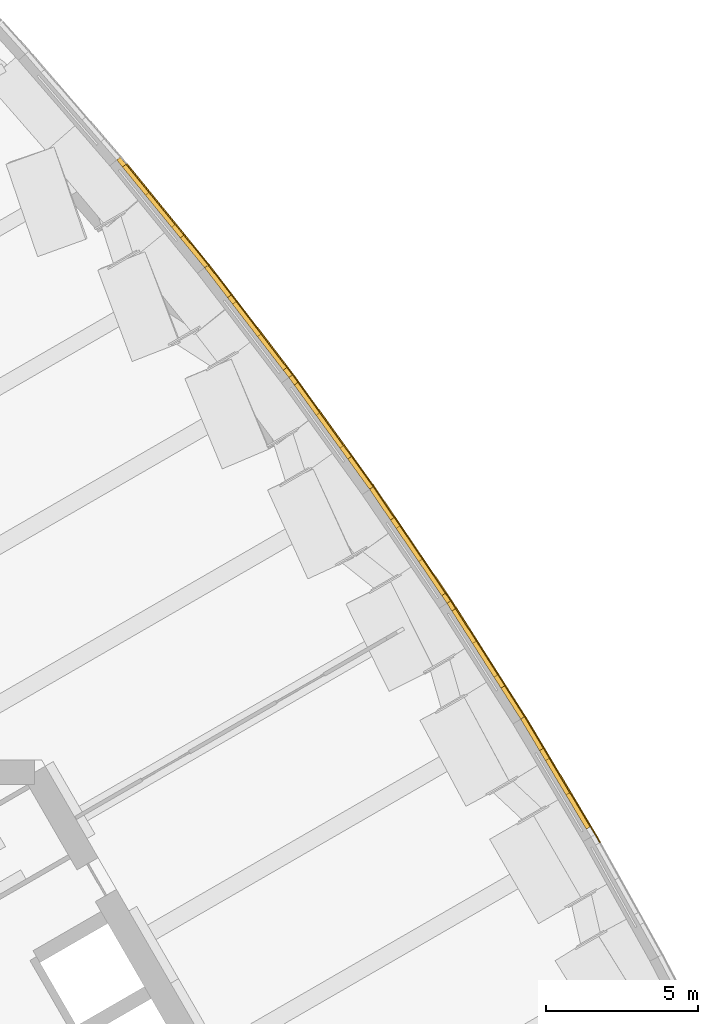
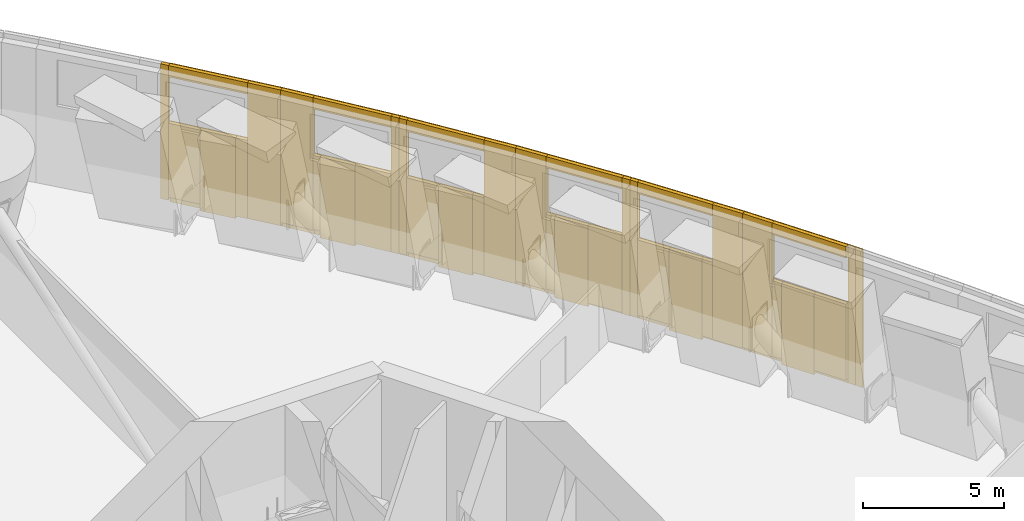
# One storey, part 23 of 28: 59 coverings.
"""IFC4 building model written with IfcOpenShell, lengths in metres."""

from ifc_helpers import new_model, si_unit, direction, frame, origin, origin_2d, place, context, subcontext, project, spatial, rectangle, extrude, material, layer, layer_set, type_object, element, save


model = new_model("IFC4")

# Units and contexts
model_context = context("Model", 3, precision=1e-05, world=origin(), true_north=direction((0.0, 1.0)))
body_context = subcontext(model_context, "Body", "Model", "MODEL_VIEW")
ifc_project = project(units=[si_unit("LENGTHUNIT", "METRE"), si_unit("AREAUNIT", "SQUARE_METRE"), si_unit("VOLUMEUNIT", "CUBIC_METRE"), si_unit("PLANEANGLEUNIT", "RADIAN"), si_unit("MASSUNIT", "GRAM", prefix="KILO")], contexts=[model_context])

# Site, building, storey
site_placement = place(None, origin())
site = spatial("IfcSite", under=ifc_project, at=site_placement, CompositionType="ELEMENT")
building_placement = place(site_placement, origin())
building = spatial("IfcBuilding", under=site, at=building_placement, Name="Trefoil Bronze Tower", CompositionType="ELEMENT")
storey_placement = place(building_placement, frame((0.0, 0.0, 92.10009765625)))
storey = spatial("IfcBuildingStorey", under=building, at=storey_placement, Name="L21", CompositionType="ELEMENT", Elevation=92.10009765625)

# Coverings
ifc_material_1 = material(Name="Bronze-finish aluminium rainscreen panel on aluminium rails", Category="aluminium")
ifc_layer_1 = layer(ifc_material_1, 0.0400390625)
ifc_layer_set_1 = layer_set([ifc_layer_1], Name="Bronze cladding panel 40")
covering_type_1 = type_object("IfcCoveringType", Name="Bronze cladding panel 40", PredefinedType="CLADDING", material=ifc_layer_set_1)
for number, where, z_axis, x_axis, name in (
    (1, (24.253662109375, 13.82421875, 0.0), (0.0, 0.0, 1.0), (-0.487381940377, 0.873188893765, 0.0), "Cladding panel L21 Face 2.8 piece 2"),
    (2, (24.09912109375, 14.092041015625, 0.0), (0.0, 0.0, 1.0), (-0.512512794114, 0.858679588595, 0.0), "Cladding panel L21 Face 2.9 piece 1"),
):
    element("IfcCovering", number, at=place(storey_placement, frame(where, z_axis=z_axis, x_axis=x_axis)), inside=storey, type_object=covering_type_1, Name=name, PredefinedType="CLADDING", context=body_context, shape_type="SweptSolid", body=[
        extrude(rectangle(XDim=0.300048828125, YDim=0.0400390625, at=origin_2d()), origin(), (0.0, 0.0, 1.0), 6.0),
    ])
covering_1_placement = place(storey_placement, frame((22.177001953125, 17.3125, 0.0), z_axis=(0.0, 0.0, 1.0), x_axis=(-0.512512794114, 0.858679588595, 0.0)))
element("IfcCovering", 3, at=covering_1_placement, inside=storey, type_object=covering_type_1, Name="Cladding panel L21 Face 2.9 piece 2", PredefinedType="CLADDING", context=body_context, shape_type="SweptSolid", body=[
    extrude(rectangle(XDim=1.200439453125, YDim=0.0400390625, at=origin_2d()), origin(), (0.0, 0.0, 1.0), 6.0),
])
covering_2_placement = place(storey_placement, frame((23.25341796875, 15.509033203125, 0.0), z_axis=(0.0, 0.0, 1.0), x_axis=(-0.512512794114, 0.858679588595, 0.0)))
element("IfcCovering", 4, at=covering_2_placement, inside=storey, type_object=covering_type_1, Name="Cladding panel L21 Face 2.9 piece 3", PredefinedType="CLADDING", context=body_context, shape_type="SweptSolid", body=[
    extrude(rectangle(XDim=3.0, YDim=0.0400390625, at=origin_2d()), origin(), (0.0, 0.0, 1.0), 3.5),
])
covering_3_placement = place(storey_placement, frame((23.25341796875, 15.509033203125, 5.5), z_axis=(0.0, 0.0, 1.0), x_axis=(-0.512512794114, 0.858679588595, 0.0)))
element("IfcCovering", 5, at=covering_3_placement, inside=storey, type_object=covering_type_1, Name="Cladding panel L21 Face 2.9 piece 4", PredefinedType="CLADDING", context=body_context, shape_type="SweptSolid", body=[
    extrude(rectangle(XDim=3.0, YDim=0.0400390625, at=origin_2d()), origin(), (0.0, 0.0, 1.0), 0.5),
])
covering_4_placement = place(storey_placement, frame((21.541015625, 18.343505859375, 0.0), z_axis=(0.0, 0.0, 1.0), x_axis=(-0.537222392469, 0.843440632783, 0.0)))
element("IfcCovering", 6, at=covering_4_placement, inside=storey, type_object=covering_type_1, Name="Cladding panel L21 Face 2.10 piece 1", PredefinedType="CLADDING", context=body_context, shape_type="SweptSolid", body=[
    extrude(rectangle(XDim=1.204345703125, YDim=0.0400390625, at=origin_2d()), origin(), (0.0, 0.0, 1.0), 6.0),
])
covering_5_placement = place(storey_placement, frame((19.525390625, 21.50830078125, 0.0), z_axis=(0.0, 0.0, 1.0), x_axis=(-0.537222392469, 0.843440632783, 0.0)))
element("IfcCovering", 7, at=covering_5_placement, inside=storey, type_object=covering_type_1, Name="Cladding panel L21 Face 2.10 piece 2", PredefinedType="CLADDING", context=body_context, shape_type="SweptSolid", body=[
    extrude(rectangle(XDim=0.300048828125, YDim=0.0400390625, at=origin_2d()), origin(), (0.0, 0.0, 1.0), 6.0),
])
covering_6_placement = place(storey_placement, frame((20.41162109375, 20.11669921875, 0.0), z_axis=(0.0, 0.0, 1.0), x_axis=(-0.537222392469, 0.843440632783, 0.0)))
element("IfcCovering", 8, at=covering_6_placement, inside=storey, type_object=covering_type_1, Name="Cladding panel L21 Face 2.10 piece 3", PredefinedType="CLADDING", context=body_context, shape_type="SweptSolid", body=[
    extrude(rectangle(XDim=3.0, YDim=0.0400390625, at=origin_2d()), origin(), (0.0, 0.0, 1.0), 3.5),
])
covering_7_placement = place(storey_placement, frame((20.41162109375, 20.11669921875, 5.5), z_axis=(0.0, 0.0, 1.0), x_axis=(-0.537222392469, 0.843440632783, 0.0)))
element("IfcCovering", 9, at=covering_7_placement, inside=storey, type_object=covering_type_1, Name="Cladding panel L21 Face 2.10 piece 4", PredefinedType="CLADDING", context=body_context, shape_type="SweptSolid", body=[
    extrude(rectangle(XDim=3.0, YDim=0.0400390625, at=origin_2d()), origin(), (0.0, 0.0, 1.0), 0.5),
])
covering_8_placement = place(storey_placement, frame((19.35546875, 21.7666015625, 0.0), z_axis=(0.0, 0.0, 1.0), x_axis=(-0.561509680683, 0.82747016774, 0.0)))
element("IfcCovering", 10, at=covering_8_placement, inside=storey, type_object=covering_type_1, Name="Cladding panel L21 Face 2.11 piece 1", PredefinedType="CLADDING", context=body_context, shape_type="SweptSolid", body=[
    extrude(rectangle(XDim=0.300048828125, YDim=0.0400390625, at=origin_2d()), origin(), (0.0, 0.0, 1.0), 6.0),
])
covering_9_placement = place(storey_placement, frame((17.246337890625, 24.874755859375, 0.0), z_axis=(0.0, 0.0, 1.0), x_axis=(-0.561509680683, 0.82747016774, 0.0)))
element("IfcCovering", 11, at=covering_9_placement, inside=storey, type_object=covering_type_1, Name="Cladding panel L21 Face 2.11 piece 2", PredefinedType="CLADDING", context=body_context, shape_type="SweptSolid", body=[
    extrude(rectangle(XDim=1.2119140625, YDim=0.0400390625, at=origin_2d()), origin(), (0.0, 0.0, 1.0), 6.0),
])
covering_10_placement = place(storey_placement, frame((18.428955078125, 23.132080078125, 0.0), z_axis=(0.0, 0.0, 1.0), x_axis=(-0.561509680683, 0.82747016774, 0.0)))
element("IfcCovering", 12, at=covering_10_placement, inside=storey, type_object=covering_type_1, Name="Cladding panel L21 Face 2.11 piece 3", PredefinedType="CLADDING", context=body_context, shape_type="SweptSolid", body=[
    extrude(rectangle(XDim=3.0, YDim=0.0400390625, at=origin_2d()), origin(), (0.0, 0.0, 1.0), 3.5),
])
covering_11_placement = place(storey_placement, frame((18.428955078125, 23.132080078125, 5.5), z_axis=(0.0, 0.0, 1.0), x_axis=(-0.561509680683, 0.82747016774, 0.0)))
element("IfcCovering", 13, at=covering_11_placement, inside=storey, type_object=covering_type_1, Name="Cladding panel L21 Face 2.11 piece 4", PredefinedType="CLADDING", context=body_context, shape_type="SweptSolid", body=[
    extrude(rectangle(XDim=3.0, YDim=0.0400390625, at=origin_2d()), origin(), (0.0, 0.0, 1.0), 0.5),
])
covering_12_placement = place(storey_placement, frame((16.542724609375, 25.879638671875, 0.0), z_axis=(0.0, 0.0, 1.0), x_axis=(-0.585372522326, 0.810764460312, 0.0)))
element("IfcCovering", 14, at=covering_12_placement, inside=storey, type_object=covering_type_1, Name="Cladding panel L21 Face 2.12 piece 1", PredefinedType="CLADDING", context=body_context, shape_type="SweptSolid", body=[
    extrude(rectangle(XDim=1.223388671875, YDim=0.0400390625, at=origin_2d()), origin(), (0.0, 0.0, 1.0), 6.0),
])
covering_13_placement = place(storey_placement, frame((14.3408203125, 28.929443359375, 0.0), z_axis=(0.0, 0.0, 1.0), x_axis=(-0.585372522326, 0.810764460312, 0.0)))
element("IfcCovering", 15, at=covering_13_placement, inside=storey, type_object=covering_type_1, Name="Cladding panel L21 Face 2.12 piece 2", PredefinedType="CLADDING", context=body_context, shape_type="SweptSolid", body=[
    extrude(rectangle(XDim=0.300048828125, YDim=0.0400390625, at=origin_2d()), origin(), (0.0, 0.0, 1.0), 6.0),
])
covering_14_placement = place(storey_placement, frame((15.306640625, 27.591796875, 0.0), z_axis=(0.0, 0.0, 1.0), x_axis=(-0.585372522326, 0.810764460312, 0.0)))
element("IfcCovering", 16, at=covering_14_placement, inside=storey, type_object=covering_type_1, Name="Cladding panel L21 Face 2.12 piece 3", PredefinedType="CLADDING", context=body_context, shape_type="SweptSolid", body=[
    extrude(rectangle(XDim=3.0, YDim=0.0400390625, at=origin_2d()), origin(), (0.0, 0.0, 1.0), 3.5),
])
covering_15_placement = place(storey_placement, frame((15.306640625, 27.591796875, 5.5), z_axis=(0.0, 0.0, 1.0), x_axis=(-0.585372522326, 0.810764460312, 0.0)))
element("IfcCovering", 17, at=covering_15_placement, inside=storey, type_object=covering_type_1, Name="Cladding panel L21 Face 2.12 piece 4", PredefinedType="CLADDING", context=body_context, shape_type="SweptSolid", body=[
    extrude(rectangle(XDim=3.0, YDim=0.0400390625, at=origin_2d()), origin(), (0.0, 0.0, 1.0), 0.5),
])
covering_16_placement = place(storey_placement, frame((14.156005859375, 29.177490234375, 0.0), z_axis=(0.0, 0.0, 1.0), x_axis=(-0.608807670727, 0.793317855632, 0.0)))
element("IfcCovering", 18, at=covering_16_placement, inside=storey, type_object=covering_type_1, Name="Cladding panel L21 Face 2.13 piece 1", PredefinedType="CLADDING", context=body_context, shape_type="SweptSolid", body=[
    extrude(rectangle(XDim=0.300048828125, YDim=0.0400390625, at=origin_2d()), origin(), (0.0, 0.0, 1.0), 6.0),
])
covering_17_placement = place(storey_placement, frame((11.861083984375, 32.16796875, 0.0), z_axis=(0.0, 0.0, 1.0), x_axis=(-0.608807670727, 0.793317855632, 0.0)))
element("IfcCovering", 19, at=covering_17_placement, inside=storey, type_object=covering_type_1, Name="Cladding panel L21 Face 2.13 piece 2", PredefinedType="CLADDING", context=body_context, shape_type="SweptSolid", body=[
    extrude(rectangle(XDim=1.23876953125, YDim=0.0400390625, at=origin_2d()), origin(), (0.0, 0.0, 1.0), 6.0),
])
covering_18_placement = place(storey_placement, frame((13.151611328125, 30.486572265625, 0.0), z_axis=(0.0, 0.0, 1.0), x_axis=(-0.608807670727, 0.793317855632, 0.0)))
element("IfcCovering", 20, at=covering_18_placement, inside=storey, type_object=covering_type_1, Name="Cladding panel L21 Face 2.13 piece 3", PredefinedType="CLADDING", context=body_context, shape_type="SweptSolid", body=[
    extrude(rectangle(XDim=3.0, YDim=0.0400390625, at=origin_2d()), origin(), (0.0, 0.0, 1.0), 3.5),
])
covering_19_placement = place(storey_placement, frame((13.151611328125, 30.486572265625, 5.5), z_axis=(0.0, 0.0, 1.0), x_axis=(-0.608807670727, 0.793317855632, 0.0)))
element("IfcCovering", 21, at=covering_19_placement, inside=storey, type_object=covering_type_1, Name="Cladding panel L21 Face 2.13 piece 4", PredefinedType="CLADDING", context=body_context, shape_type="SweptSolid", body=[
    extrude(rectangle(XDim=3.0, YDim=0.0400390625, at=origin_2d()), origin(), (0.0, 0.0, 1.0), 0.5),
])
covering_20_placement = place(storey_placement, frame((11.080810546875, 33.154541015625, 0.0), z_axis=(0.0, 0.0, 1.0), x_axis=(-0.631810729566, 0.775122701258, 0.0)))
element("IfcCovering", 22, at=covering_20_placement, inside=storey, type_object=covering_type_1, Name="Cladding panel L21 Face 2.14 piece 1", PredefinedType="CLADDING", context=body_context, shape_type="SweptSolid", body=[
    extrude(rectangle(XDim=1.258544921875, YDim=0.0400390625, at=origin_2d()), origin(), (0.0, 0.0, 1.0), 6.0),
])
covering_21_placement = place(storey_placement, frame((9.7353515625, 34.804931640625, 0.0), z_axis=(0.0, 0.0, 1.0), x_axis=(-0.631810729566, 0.775122701258, 0.0)))
element("IfcCovering", 23, at=covering_21_placement, inside=storey, type_object=covering_type_1, Name="Cladding panel L21 Face 2.14 piece 3", PredefinedType="CLADDING", context=body_context, shape_type="SweptSolid", body=[
    extrude(rectangle(XDim=3.0, YDim=0.0400390625, at=origin_2d()), origin(), (0.0, 0.0, 1.0), 3.5),
])
covering_22_placement = place(storey_placement, frame((9.7353515625, 34.804931640625, 5.5), z_axis=(0.0, 0.0, 1.0), x_axis=(-0.631810729566, 0.775122701258, 0.0)))
element("IfcCovering", 24, at=covering_22_placement, inside=storey, type_object=covering_type_1, Name="Cladding panel L21 Face 2.14 piece 4", PredefinedType="CLADDING", context=body_context, shape_type="SweptSolid", body=[
    extrude(rectangle(XDim=3.0, YDim=0.0400390625, at=origin_2d()), origin(), (0.0, 0.0, 1.0), 0.5),
])
ifc_material_2 = material(Name="Non-combustible mineral wool slab", Category="insulation")
ifc_layer_2 = layer(ifc_material_2, 0.14990234375)
ifc_layer_set_2 = layer_set([ifc_layer_2], Name="Rainscreen insulation 150")
covering_type_2 = type_object("IfcCoveringType", Name="Rainscreen insulation 150", PredefinedType="INSULATION", material=ifc_layer_set_2)
covering_23_placement = place(storey_placement, frame((22.095458984375, 17.263671875, 0.19482421875), z_axis=(0.0, 0.0, 1.0), x_axis=(-0.512512794114, 0.858679588595, 0.0)))
element("IfcCovering", 25, at=covering_23_placement, inside=storey, type_object=covering_type_2, Name="Insulation L21 Face 2.9 piece 2", PredefinedType="INSULATION", context=body_context, shape_type="SweptSolid", body=[
    extrude(rectangle(XDim=1.200439453125, YDim=0.14990234375, at=origin_2d()), origin(), (0.0, 0.0, 1.0), 5.804931640625),
])
covering_24_placement = place(storey_placement, frame((23.606201171875, 14.732666015625, 0.19970703125), z_axis=(0.0, 0.0, 1.0), x_axis=(-0.512512794114, 0.858679588595, 0.0)))
element("IfcCovering", 26, at=covering_24_placement, inside=storey, type_object=covering_type_2, Name="Insulation L21 Face 2.9 piece 3", PredefinedType="INSULATION", context=body_context, shape_type="SweptSolid", body=[
    extrude(rectangle(XDim=1.304931640625, YDim=0.14990234375, at=origin_2d()), origin(), (0.0, 0.0, 1.0), 3.300048828125),
])
covering_25_placement = place(storey_placement, frame((22.935791015625, 15.855712890625, 0.0), z_axis=(0.0, 0.0, 1.0), x_axis=(-0.512512794114, 0.858679588595, 0.0)))
element("IfcCovering", 27, at=covering_25_placement, inside=storey, type_object=covering_type_2, Name="Insulation L21 Face 2.9 piece 3 part 2", PredefinedType="INSULATION", context=body_context, shape_type="SweptSolid", body=[
    extrude(rectangle(XDim=1.31103515625, YDim=0.14990234375, at=origin_2d()), origin(), (0.0, 0.0, 1.0), 3.5),
])
covering_26_placement = place(storey_placement, frame((22.50146484375, 16.58349609375, 0.224853515625), z_axis=(0.0, 0.0, 1.0), x_axis=(-0.512512794114, 0.858679588595, 0.0)))
element("IfcCovering", 28, at=covering_26_placement, inside=storey, type_object=covering_type_2, Name="Insulation L21 Face 2.9 piece 3 part 3", PredefinedType="INSULATION", context=body_context, shape_type="SweptSolid", body=[
    extrude(rectangle(XDim=0.384033203125, YDim=0.14990234375, at=origin_2d()), origin(), (0.0, 0.0, 1.0), 3.27490234375),
])
covering_27_placement = place(storey_placement, frame((23.171875, 15.460205078125, 5.5), z_axis=(0.0, 0.0, 1.0), x_axis=(-0.512512794114, 0.858679588595, 0.0)))
element("IfcCovering", 29, at=covering_27_placement, inside=storey, type_object=covering_type_2, Name="Insulation L21 Face 2.9 piece 4", PredefinedType="INSULATION", context=body_context, shape_type="SweptSolid", body=[
    extrude(rectangle(XDim=3.0, YDim=0.14990234375, at=origin_2d()), origin(), (0.0, 0.0, 1.0), 0.5),
])
covering_28_placement = place(storey_placement, frame((21.4609375, 18.29248046875, 0.15478515625), z_axis=(0.0, 0.0, 1.0), x_axis=(-0.537222392469, 0.843440632783, 0.0)))
element("IfcCovering", 30, at=covering_28_placement, inside=storey, type_object=covering_type_2, Name="Insulation L21 Face 2.10 piece 1", PredefinedType="INSULATION", context=body_context, shape_type="SweptSolid", body=[
    extrude(rectangle(XDim=1.204345703125, YDim=0.14990234375, at=origin_2d()), origin(), (0.0, 0.0, 1.0), 5.844970703125),
])
covering_29_placement = place(storey_placement, frame((19.4453125, 21.457275390625, 0.125), z_axis=(0.0, 0.0, 1.0), x_axis=(-0.537222392469, 0.843440632783, 0.0)))
element("IfcCovering", 31, at=covering_29_placement, inside=storey, type_object=covering_type_2, Name="Insulation L21 Face 2.10 piece 2", PredefinedType="INSULATION", context=body_context, shape_type="SweptSolid", body=[
    extrude(rectangle(XDim=0.300048828125, YDim=0.14990234375, at=origin_2d()), origin(), (0.0, 0.0, 1.0), 5.875),
])
covering_30_placement = place(storey_placement, frame((21.023193359375, 18.979736328125, 0.1748046875), z_axis=(0.0, 0.0, 1.0), x_axis=(-0.537222392469, 0.843440632783, 0.0)))
element("IfcCovering", 32, at=covering_30_placement, inside=storey, type_object=covering_type_2, Name="Insulation L21 Face 2.10 piece 3", PredefinedType="INSULATION", context=body_context, shape_type="SweptSolid", body=[
    extrude(rectangle(XDim=0.425048828125, YDim=0.14990234375, at=origin_2d()), origin(), (0.0, 0.0, 1.0), 3.324951171875),
])
covering_31_placement = place(storey_placement, frame((20.556640625, 19.71240234375, 0.0), z_axis=(0.0, 0.0, 1.0), x_axis=(-0.537222392469, 0.843440632783, 0.0)))
element("IfcCovering", 33, at=covering_31_placement, inside=storey, type_object=covering_type_2, Name="Insulation L21 Face 2.10 piece 3 part 2", PredefinedType="INSULATION", context=body_context, shape_type="SweptSolid", body=[
    extrude(rectangle(XDim=1.3125, YDim=0.14990234375, at=origin_2d()), origin(), (0.0, 0.0, 1.0), 3.5),
])
covering_32_placement = place(storey_placement, frame((19.864990234375, 20.79833984375, 0.244873046875), z_axis=(0.0, 0.0, 1.0), x_axis=(-0.537222392469, 0.843440632783, 0.0)))
element("IfcCovering", 34, at=covering_32_placement, inside=storey, type_object=covering_type_2, Name="Insulation L21 Face 2.10 piece 3 part 3", PredefinedType="INSULATION", context=body_context, shape_type="SweptSolid", body=[
    extrude(rectangle(XDim=1.2626953125, YDim=0.14990234375, at=origin_2d()), origin(), (0.0, 0.0, 1.0), 3.2548828125),
])
covering_33_placement = place(storey_placement, frame((20.33154296875, 20.065673828125, 5.5), z_axis=(0.0, 0.0, 1.0), x_axis=(-0.537222392469, 0.843440632783, 0.0)))
element("IfcCovering", 35, at=covering_33_placement, inside=storey, type_object=covering_type_2, Name="Insulation L21 Face 2.10 piece 4", PredefinedType="INSULATION", context=body_context, shape_type="SweptSolid", body=[
    extrude(rectangle(XDim=3.0, YDim=0.14990234375, at=origin_2d()), origin(), (0.0, 0.0, 1.0), 0.5),
])
covering_34_placement = place(storey_placement, frame((19.27685546875, 21.71337890625, 0.10498046875), z_axis=(0.0, 0.0, 1.0), x_axis=(-0.561509680683, 0.82747016774, 0.0)))
element("IfcCovering", 36, at=covering_34_placement, inside=storey, type_object=covering_type_2, Name="Insulation L21 Face 2.11 piece 1", PredefinedType="INSULATION", context=body_context, shape_type="SweptSolid", body=[
    extrude(rectangle(XDim=0.300048828125, YDim=0.14990234375, at=origin_2d()), origin(), (0.0, 0.0, 1.0), 5.89501953125),
])
covering_35_placement = place(storey_placement, frame((17.167724609375, 24.8212890625, 0.22998046875), z_axis=(0.0, 0.0, 1.0), x_axis=(-0.561509680683, 0.82747016774, 0.0)))
element("IfcCovering", 37, at=covering_35_placement, inside=storey, type_object=covering_type_2, Name="Insulation L21 Face 2.11 piece 2", PredefinedType="INSULATION", context=body_context, shape_type="SweptSolid", body=[
    extrude(rectangle(XDim=1.2119140625, YDim=0.14990234375, at=origin_2d()), origin(), (0.0, 0.0, 1.0), 5.77001953125),
])
covering_36_placement = place(storey_placement, frame((18.8134765625, 22.39599609375, 0.14990234375), z_axis=(0.0, 0.0, 1.0), x_axis=(-0.561509680683, 0.82747016774, 0.0)))
element("IfcCovering", 38, at=covering_36_placement, inside=storey, type_object=covering_type_2, Name="Insulation L21 Face 2.11 piece 3", PredefinedType="INSULATION", context=body_context, shape_type="SweptSolid", body=[
    extrude(rectangle(XDim=1.35009765625, YDim=0.14990234375, at=origin_2d()), origin(), (0.0, 0.0, 1.0), 3.35009765625),
])
covering_37_placement = place(storey_placement, frame((18.064697265625, 23.49951171875, 0.0), z_axis=(0.0, 0.0, 1.0), x_axis=(-0.561509680683, 0.82747016774, 0.0)))
element("IfcCovering", 39, at=covering_37_placement, inside=storey, type_object=covering_type_2, Name="Insulation L21 Face 2.11 piece 3 part 2", PredefinedType="INSULATION", context=body_context, shape_type="SweptSolid", body=[
    extrude(rectangle(XDim=1.31689453125, YDim=0.14990234375, at=origin_2d()), origin(), (0.0, 0.0, 1.0), 3.5),
])
covering_38_placement = place(storey_placement, frame((17.6015625, 24.18212890625, 0.2646484375), z_axis=(0.0, 0.0, 1.0), x_axis=(-0.561509680683, 0.82747016774, 0.0)))
element("IfcCovering", 40, at=covering_38_placement, inside=storey, type_object=covering_type_2, Name="Insulation L21 Face 2.11 piece 3 part 3", PredefinedType="INSULATION", context=body_context, shape_type="SweptSolid", body=[
    extrude(rectangle(XDim=0.3330078125, YDim=0.14990234375, at=origin_2d()), origin(), (0.0, 0.0, 1.0), 3.235107421875),
])
covering_39_placement = place(storey_placement, frame((18.350341796875, 23.07861328125, 5.5), z_axis=(0.0, 0.0, 1.0), x_axis=(-0.561509680683, 0.82747016774, 0.0)))
element("IfcCovering", 41, at=covering_39_placement, inside=storey, type_object=covering_type_2, Name="Insulation L21 Face 2.11 piece 4", PredefinedType="INSULATION", context=body_context, shape_type="SweptSolid", body=[
    extrude(rectangle(XDim=3.0, YDim=0.14990234375, at=origin_2d()), origin(), (0.0, 0.0, 1.0), 0.5),
])
covering_40_placement = place(storey_placement, frame((16.4658203125, 25.823974609375, 0.125), z_axis=(0.0, 0.0, 1.0), x_axis=(-0.585372522326, 0.810764460312, 0.0)))
element("IfcCovering", 42, at=covering_40_placement, inside=storey, type_object=covering_type_2, Name="Insulation L21 Face 2.12 piece 1", PredefinedType="INSULATION", context=body_context, shape_type="SweptSolid", body=[
    extrude(rectangle(XDim=1.223388671875, YDim=0.14990234375, at=origin_2d()), origin(), (0.0, 0.0, 1.0), 5.875),
])
covering_41_placement = place(storey_placement, frame((14.263671875, 28.873779296875, 0.14501953125), z_axis=(0.0, 0.0, 1.0), x_axis=(-0.585372522326, 0.810764460312, 0.0)))
element("IfcCovering", 43, at=covering_41_placement, inside=storey, type_object=covering_type_2, Name="Insulation L21 Face 2.12 piece 2", PredefinedType="INSULATION", context=body_context, shape_type="SweptSolid", body=[
    extrude(rectangle(XDim=0.300048828125, YDim=0.14990234375, at=origin_2d()), origin(), (0.0, 0.0, 1.0), 5.85498046875),
])
covering_42_placement = place(storey_placement, frame((15.977294921875, 26.500244140625, 0.1298828125), z_axis=(0.0, 0.0, 1.0), x_axis=(-0.585372522326, 0.810764460312, 0.0)))
element("IfcCovering", 44, at=covering_42_placement, inside=storey, type_object=covering_type_2, Name="Insulation L21 Face 2.12 piece 3", PredefinedType="INSULATION", context=body_context, shape_type="SweptSolid", body=[
    extrude(rectangle(XDim=0.445068359375, YDim=0.14990234375, at=origin_2d()), origin(), (0.0, 0.0, 1.0), 3.3701171875),
])
covering_43_placement = place(storey_placement, frame((15.458740234375, 27.21875, 0.0), z_axis=(0.0, 0.0, 1.0), x_axis=(-0.585372522326, 0.810764460312, 0.0)))
element("IfcCovering", 45, at=covering_43_placement, inside=storey, type_object=covering_type_2, Name="Insulation L21 Face 2.12 piece 3 part 2", PredefinedType="INSULATION", context=body_context, shape_type="SweptSolid", body=[
    extrude(rectangle(XDim=1.327392578125, YDim=0.14990234375, at=origin_2d()), origin(), (0.0, 0.0, 1.0), 3.5),
])
covering_44_placement = place(storey_placement, frame((14.7109375, 28.254638671875, 0.27978515625), z_axis=(0.0, 0.0, 1.0), x_axis=(-0.585372522326, 0.810764460312, 0.0)))
element("IfcCovering", 46, at=covering_44_placement, inside=storey, type_object=covering_type_2, Name="Insulation L21 Face 2.12 piece 3 part 3", PredefinedType="INSULATION", context=body_context, shape_type="SweptSolid", body=[
    extrude(rectangle(XDim=1.2275390625, YDim=0.14990234375, at=origin_2d()), origin(), (0.0, 0.0, 1.0), 3.219970703125),
])
covering_45_placement = place(storey_placement, frame((15.2294921875, 27.5361328125, 5.5), z_axis=(0.0, 0.0, 1.0), x_axis=(-0.585372522326, 0.810764460312, 0.0)))
element("IfcCovering", 47, at=covering_45_placement, inside=storey, type_object=covering_type_2, Name="Insulation L21 Face 2.12 piece 4", PredefinedType="INSULATION", context=body_context, shape_type="SweptSolid", body=[
    extrude(rectangle(XDim=3.0, YDim=0.14990234375, at=origin_2d()), origin(), (0.0, 0.0, 1.0), 0.5),
])
covering_46_placement = place(storey_placement, frame((14.08056640625, 29.11962890625, 0.10986328125), z_axis=(0.0, 0.0, 1.0), x_axis=(-0.608807670727, 0.793317855632, 0.0)))
element("IfcCovering", 48, at=covering_46_placement, inside=storey, type_object=covering_type_2, Name="Insulation L21 Face 2.13 piece 1", PredefinedType="INSULATION", context=body_context, shape_type="SweptSolid", body=[
    extrude(rectangle(XDim=0.300048828125, YDim=0.14990234375, at=origin_2d()), origin(), (0.0, 0.0, 1.0), 5.889892578125),
])
covering_47_placement = place(storey_placement, frame((11.785888671875, 32.110107421875, 0.259765625), z_axis=(0.0, 0.0, 1.0), x_axis=(-0.608807670727, 0.793317855632, 0.0)))
element("IfcCovering", 49, at=covering_47_placement, inside=storey, type_object=covering_type_2, Name="Insulation L21 Face 2.13 piece 2", PredefinedType="INSULATION", context=body_context, shape_type="SweptSolid", body=[
    extrude(rectangle(XDim=1.23876953125, YDim=0.14990234375, at=origin_2d()), origin(), (0.0, 0.0, 1.0), 5.739990234375),
])
covering_48_placement = place(storey_placement, frame((13.566162109375, 29.7900390625, 0.10986328125), z_axis=(0.0, 0.0, 1.0), x_axis=(-0.608807670727, 0.793317855632, 0.0)))
element("IfcCovering", 50, at=covering_48_placement, inside=storey, type_object=covering_type_2, Name="Insulation L21 Face 2.13 piece 3", PredefinedType="INSULATION", context=body_context, shape_type="SweptSolid", body=[
    extrude(rectangle(XDim=1.389892578125, YDim=0.14990234375, at=origin_2d()), origin(), (0.0, 0.0, 1.0), 3.389892578125),
])
covering_49_placement = place(storey_placement, frame((12.734619140625, 30.87353515625, 0.0), z_axis=(0.0, 0.0, 1.0), x_axis=(-0.608807670727, 0.793317855632, 0.0)))
element("IfcCovering", 51, at=covering_49_placement, inside=storey, type_object=covering_type_2, Name="Insulation L21 Face 2.13 piece 3 part 2", PredefinedType="INSULATION", context=body_context, shape_type="SweptSolid", body=[
    extrude(rectangle(XDim=1.341552734375, YDim=0.14990234375, at=origin_2d()), origin(), (0.0, 0.0, 1.0), 3.5),
])
covering_50_placement = place(storey_placement, frame((12.24462890625, 31.51220703125, 0.2900390625), z_axis=(0.0, 0.0, 1.0), x_axis=(-0.608807670727, 0.793317855632, 0.0)))
element("IfcCovering", 52, at=covering_50_placement, inside=storey, type_object=covering_type_2, Name="Insulation L21 Face 2.13 piece 3 part 3", PredefinedType="INSULATION", context=body_context, shape_type="SweptSolid", body=[
    extrude(rectangle(XDim=0.268310546875, YDim=0.14990234375, at=origin_2d()), origin(), (0.0, 0.0, 1.0), 3.2099609375),
])
covering_51_placement = place(storey_placement, frame((13.076171875, 30.4287109375, 5.5), z_axis=(0.0, 0.0, 1.0), x_axis=(-0.608807670727, 0.793317855632, 0.0)))
element("IfcCovering", 53, at=covering_51_placement, inside=storey, type_object=covering_type_2, Name="Insulation L21 Face 2.13 piece 4", PredefinedType="INSULATION", context=body_context, shape_type="SweptSolid", body=[
    extrude(rectangle(XDim=3.0, YDim=0.14990234375, at=origin_2d()), origin(), (0.0, 0.0, 1.0), 0.5),
])
covering_52_placement = place(storey_placement, frame((11.007080078125, 33.094482421875, 0.119873046875), z_axis=(0.0, 0.0, 1.0), x_axis=(-0.631810729566, 0.775122701258, 0.0)))
element("IfcCovering", 54, at=covering_52_placement, inside=storey, type_object=covering_type_2, Name="Insulation L21 Face 2.14 piece 1", PredefinedType="INSULATION", context=body_context, shape_type="SweptSolid", body=[
    extrude(rectangle(XDim=1.258544921875, YDim=0.14990234375, at=origin_2d()), origin(), (0.0, 0.0, 1.0), 5.8798828125),
])
covering_53_placement = place(storey_placement, frame((8.619384765625, 36.023681640625, 0.15966796875), z_axis=(0.0, 0.0, 1.0), x_axis=(-0.631810729566, 0.775122701258, 0.0)))
element("IfcCovering", 55, at=covering_53_placement, inside=storey, type_object=covering_type_2, Name="Insulation L21 Face 2.14 piece 2", PredefinedType="INSULATION", context=body_context, shape_type="SweptSolid", body=[
    extrude(rectangle(XDim=0.300048828125, YDim=0.14990234375, at=origin_2d()), origin(), (0.0, 0.0, 1.0), 5.840087890625),
])
covering_54_placement = place(storey_placement, frame((10.46728515625, 33.756591796875, 0.10498046875), z_axis=(0.0, 0.0, 1.0), x_axis=(-0.631810729566, 0.775122701258, 0.0)))
element("IfcCovering", 56, at=covering_54_placement, inside=storey, type_object=covering_type_2, Name="Insulation L21 Face 2.14 piece 3", PredefinedType="INSULATION", context=body_context, shape_type="SweptSolid", body=[
    extrude(rectangle(XDim=0.449951171875, YDim=0.14990234375, at=origin_2d()), origin(), (0.0, 0.0, 1.0), 3.39501953125),
])
covering_55_placement = place(storey_placement, frame((9.895751953125, 34.457763671875, 0.0), z_axis=(0.0, 0.0, 1.0), x_axis=(-0.631810729566, 0.775122701258, 0.0)))
element("IfcCovering", 57, at=covering_55_placement, inside=storey, type_object=covering_type_2, Name="Insulation L21 Face 2.14 piece 3 part 2", PredefinedType="INSULATION", context=body_context, shape_type="SweptSolid", body=[
    extrude(rectangle(XDim=1.359619140625, YDim=0.14990234375, at=origin_2d()), origin(), (0.0, 0.0, 1.0), 3.5),
])
covering_56_placement = place(storey_placement, frame((9.090087890625, 35.446044921875, 0.2900390625), z_axis=(0.0, 0.0, 1.0), x_axis=(-0.631810729566, 0.775122701258, 0.0)))
element("IfcCovering", 58, at=covering_56_placement, inside=storey, type_object=covering_type_2, Name="Insulation L21 Face 2.14 piece 3 part 3", PredefinedType="INSULATION", context=body_context, shape_type="SweptSolid", body=[
    extrude(rectangle(XDim=1.1904296875, YDim=0.14990234375, at=origin_2d()), origin(), (0.0, 0.0, 1.0), 3.2099609375),
])
covering_57_placement = place(storey_placement, frame((9.661865234375, 34.744873046875, 5.5), z_axis=(0.0, 0.0, 1.0), x_axis=(-0.631810729566, 0.775122701258, 0.0)))
element("IfcCovering", 59, at=covering_57_placement, inside=storey, type_object=covering_type_2, Name="Insulation L21 Face 2.14 piece 4", PredefinedType="INSULATION", context=body_context, shape_type="SweptSolid", body=[
    extrude(rectangle(XDim=3.0, YDim=0.14990234375, at=origin_2d()), origin(), (0.0, 0.0, 1.0), 0.5),
])

save(model, "model.ifc")
